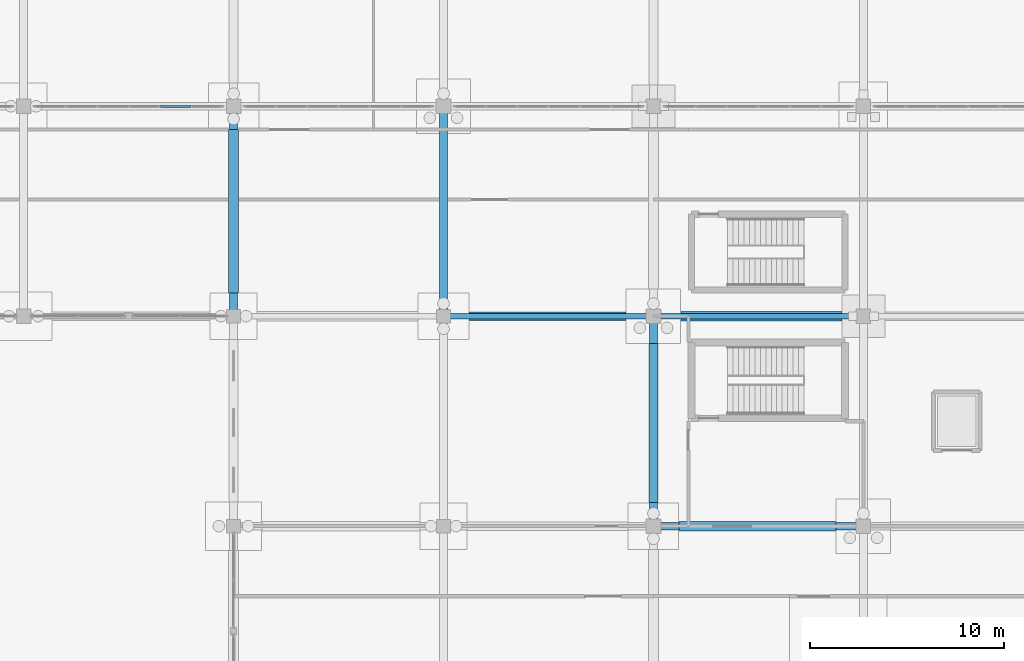
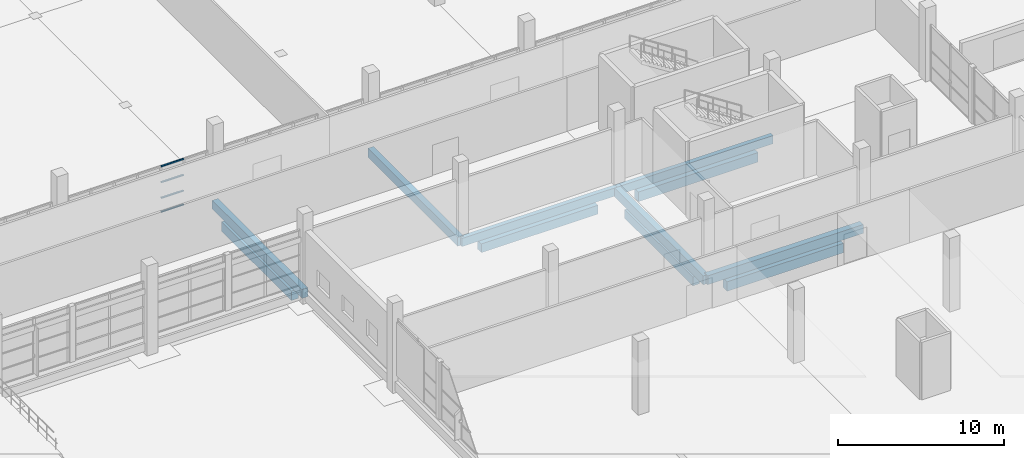
# One storey, part 62 of 138: 11 beams, 4 members, 1 element without a shape of its own.
"""IFC4 building model written with IfcOpenShell, lengths in metres."""

import ifcopenshell
import ifcopenshell.guid

model = None  # the IFC model being written
_history = None  # IfcOwnerHistory: only IFC2X3 demands one
_inside = {}  # id of a spatial element -> (the spatial element, [elements in it])
_under = {}  # id of a project, library or spatial element -> (it, [spatial elements below it])
_declared = {}  # id of a project -> (the project, [libraries it declares])
_typed = {}  # id of a type object -> (the type object, [elements of that type])
_made_of = {}  # id of a material, layer set ... -> (it, [elements and type objects made of it])


def new_model(schema):
    """Start an empty IFC model of exactly this schema.

    Asked for "IFC4X3", IfcOpenShell would pick the latest addendum, in which some entities
    have other attributes; the version numbers below select the first issue.
    IFC2X3 requires an IfcOwnerHistory on every rooted entity: one is made here for all.
    """
    global model, _history
    if schema == "IFC4X3":
        model = ifcopenshell.file(schema_version=(4, 3, 0, 0))
    else:
        model = ifcopenshell.file(schema=schema)
    _inside.clear()
    _under.clear()
    _declared.clear()
    _typed.clear()
    _made_of.clear()
    _history = None
    if model.schema == "IFC2X3":
        org = make("IfcOrganization", Name="unknown")
        user = make(
            "IfcPersonAndOrganization",
            ThePerson=make("IfcPerson", FamilyName="unknown"),
            TheOrganization=org,
        )
        app = make(
            "IfcApplication",
            ApplicationDeveloper=org,
            Version="unknown",
            ApplicationFullName="unknown",
            ApplicationIdentifier="unknown",
        )
        _history = make(
            "IfcOwnerHistory",
            OwningUser=user,
            OwningApplication=app,
            ChangeAction="ADDED",
            CreationDate=0,
        )
    return model


def make(cls, **values):
    """One entity of the class cls with the attributes given. An attribute that is None is left unset."""
    return model.create_entity(
        cls, **{name: value for name, value in values.items() if value is not None}
    )


def rooted(cls, **values):
    """An entity with a GlobalId (a new one), such as an element, a storey or a relation."""
    return make(cls, GlobalId=ifcopenshell.guid.new(), OwnerHistory=_history, **values)


def si_unit(unit_type, name, prefix=None):
    """IfcSIUnit, for example si_unit("LENGTHUNIT", "METRE", prefix="MILLI")."""
    return make("IfcSIUnit", UnitType=unit_type, Prefix=prefix, Name=name)


def assignment(units):
    """IfcUnitAssignment: the units of a project."""
    return None if units is None else make("IfcUnitAssignment", Units=units)


def point(xyz):
    """IfcCartesianPoint."""
    return None if xyz is None else make("IfcCartesianPoint", Coordinates=xyz)


def direction(xyz):
    """IfcDirection."""
    return None if xyz is None else make("IfcDirection", DirectionRatios=xyz)


def frame(location, z_axis=None, x_axis=None):
    """IfcAxis2Placement3D, a coordinate frame: its origin and axes. An axis left out is left unset."""
    return make(
        "IfcAxis2Placement3D",
        Location=point(location),
        Axis=direction(z_axis),
        RefDirection=direction(x_axis),
    )


def frame_2d(location, x_axis=None):
    """IfcAxis2Placement2D, a coordinate frame in the plane: its origin and x axis."""
    return make(
        "IfcAxis2Placement2D", Location=point(location), RefDirection=direction(x_axis)
    )


def origin():
    """The frame at (0, 0, 0) with its axes left unset."""
    return frame((0.0, 0.0, 0.0))


def origin_2d():
    """The frame at (0, 0) in the plane with its x axis left unset."""
    return frame_2d((0.0, 0.0))


def place(relative_to, where):
    """IfcLocalPlacement: puts the frame where relative to a parent placement (None: the world)."""
    return make(
        "IfcLocalPlacement", PlacementRelTo=relative_to, RelativePlacement=where
    )


def context(
    kind, dimensions, precision=None, world=None, true_north=None, identifier=None
):
    """IfcGeometricRepresentationContext, for example the 3D "Model" context."""
    return make(
        "IfcGeometricRepresentationContext",
        ContextIdentifier=identifier,
        ContextType=kind,
        CoordinateSpaceDimension=dimensions,
        Precision=precision,
        WorldCoordinateSystem=world,
        TrueNorth=true_north,
    )


def subcontext(parent, identifier, kind, view, scale=None):
    """IfcGeometricRepresentationSubContext, for example "Body" below "Model"."""
    return make(
        "IfcGeometricRepresentationSubContext",
        ContextIdentifier=identifier,
        ContextType=kind,
        ParentContext=parent,
        TargetScale=scale,
        TargetView=view,
    )


def project(units=None, contexts=None):
    """IfcProject with its units and contexts."""
    return rooted(
        "IfcProject",
        Name="project",
        RepresentationContexts=contexts,
        UnitsInContext=assignment(units),
    )


def spatial(cls, under=None, at=None, **own):
    """A site, building, storey or space (cls), placed at a placement, below another one or the project."""
    s = rooted(cls, ObjectPlacement=at, **own)
    if under is not None:
        _under.setdefault(under.id(), (under, []))[1].append(s)
    return s


def profile(cls, at=None, kind="AREA", **sizes):
    """A parametric profile (cls). Its sizes go by their IFC names, for example OverallWidth=200.0."""
    return make(cls, ProfileType=kind, Position=at, **sizes)


def rectangle(**sizes):
    """IfcRectangleProfileDef."""
    return profile("IfcRectangleProfileDef", **sizes)


def extrude(swept, where, along, depth):
    """IfcExtrudedAreaSolid: the profile swept, set in the frame where, extruded along a direction by depth."""
    return make(
        "IfcExtrudedAreaSolid",
        SweptArea=swept,
        Position=where,
        ExtrudedDirection=direction(along),
        Depth=depth,
    )


def shape(context_of_items, identifier, shape_type, items):
    """IfcShapeRepresentation: the items that make up one representation, for example the "Body"."""
    return make(
        "IfcShapeRepresentation",
        ContextOfItems=context_of_items,
        RepresentationIdentifier=identifier,
        RepresentationType=shape_type,
        Items=items,
    )


def material(Name=None, Category=None):
    """IfcMaterial."""
    return make("IfcMaterial", Name=Name, Category=Category)


def material_profile(
    of_material, cross_section, Name=None, Category=None, Priority=None
):
    """IfcMaterialProfile: a cross section and its material."""
    return make(
        "IfcMaterialProfile",
        Name=Name,
        Material=of_material,
        Profile=cross_section,
        Priority=Priority,
        Category=Category,
    )


def profile_set(profiles, Name=None, composite=None):
    """IfcMaterialProfileSet."""
    return make(
        "IfcMaterialProfileSet",
        Name=Name,
        MaterialProfiles=profiles,
        CompositeProfile=composite,
    )


def made_of(thing, what):
    """Note that an element or type object is made of a material, layer set ...; save() writes the relation."""
    if what is not None:
        _made_of.setdefault(what.id(), (what, []))[1].append(thing)
    return thing


def type_object(cls, material=None, **own):
    """A type object (cls), such as IfcWallType, which elements share."""
    return made_of(rooted(cls, **own), material)


def element(
    cls,
    number,
    at=None,
    inside=None,
    cuts=None,
    type_object=None,
    material=None,
    context=None,
    identifier="Body",
    shape_type=None,
    held_by="IfcProductDefinitionShape",
    body=None,
    shapes=None,
    **own,
):
    """One element of the class cls, such as IfcWall. Its Tag is "e" and its number.

    at: its placement. inside: the storey or other place that contains it. cuts: it is an
    opening in that element (IfcRelVoidsElement). A single representation is given by context,
    identifier, shape_type and body (its items); several are given by shapes. held_by: the class
    of the entity that holds the representations. save() writes the other relations.
    """
    e = rooted(cls, Tag="e%d" % number, ObjectPlacement=at, **own)
    if body is not None:
        shapes = [shape(context, identifier, shape_type, body)]
    if shapes is not None:
        e.Representation = make(held_by, Representations=shapes)
    if inside is not None:
        _inside.setdefault(inside.id(), (inside, []))[1].append(e)
    if cuts is not None:
        rooted(
            "IfcRelVoidsElement", RelatingBuildingElement=cuts, RelatedOpeningElement=e
        )
    if type_object is not None:
        _typed.setdefault(type_object.id(), (type_object, []))[1].append(e)
    return made_of(e, material)


def aggregate(whole, parts):
    """IfcRelAggregates: a whole, such as a stair, and the parts it consists of."""
    return rooted("IfcRelAggregates", RelatingObject=whole, RelatedObjects=parts)


def save(model, path):
    """Write the relations noted so far, then the file.

    IfcRelAggregates (storeys below a building ...), IfcRelContainedInSpatialStructure (elements
    in a storey), IfcRelDefinesByType, IfcRelAssociatesMaterial and IfcRelDeclares: one each for
    every whole, place, type object, material and project.
    """
    for whole, parts in _under.values():
        aggregate(whole, parts)
    for where, things in _inside.values():
        rooted(
            "IfcRelContainedInSpatialStructure",
            RelatedElements=things,
            RelatingStructure=where,
        )
    for kind, things in _typed.values():
        rooted("IfcRelDefinesByType", RelatedObjects=things, RelatingType=kind)
    for what, things in _made_of.values():
        rooted("IfcRelAssociatesMaterial", RelatedObjects=things, RelatingMaterial=what)
    for by, libraries in _declared.values():
        rooted("IfcRelDeclares", RelatingContext=by, RelatedDefinitions=libraries)
    model.write(path)


model = new_model("IFC4")

# Units and contexts
model_context = context("Model", 3, precision=1e-05, world=origin(), true_north=direction((0.0, 1.0)))
body_context = subcontext(model_context, "Body", "Model", "MODEL_VIEW")
ifc_project = project(units=[si_unit("LENGTHUNIT", "METRE"), si_unit("AREAUNIT", "SQUARE_METRE"), si_unit("VOLUMEUNIT", "CUBIC_METRE"), si_unit("PLANEANGLEUNIT", "RADIAN"), si_unit("MASSUNIT", "GRAM", prefix="KILO")], contexts=[model_context])

# Site, building, storey
site_placement = place(None, origin())
site = spatial("IfcSite", under=ifc_project, at=site_placement, CompositionType="ELEMENT")
building_placement = place(site_placement, origin())
building = spatial("IfcBuilding", under=site, at=building_placement, Name="Zwinboog Wholesale Market", CompositionType="ELEMENT")
storey_placement = place(building_placement, origin())
storey = spatial("IfcBuildingStorey", under=building, at=storey_placement, Name="L00", CompositionType="ELEMENT", Elevation=0.0)

# Beams
ifc_material_1 = material(Name="Precast concrete C45/55", Category="concrete")
ifc_material_profile_1 = material_profile(ifc_material_1, rectangle(XDim=0.39990234375, YDim=0.64990234375, at=origin_2d()), Name="PC 400x650")
ifc_profile_set_1 = profile_set([ifc_material_profile_1], Name="Precast concrete C45/55")
beam_type_1 = type_object("IfcBeamType", Name="BT-05", PredefinedType="BEAM", material=ifc_profile_set_1)
for number, where, z_axis, x_axis, name in (
    (1, (151.199951171875, 32.39990234375, -0.6669921875), (1.0, 0.0, 0.0), (0.0, 1.0, 0.0), "BG-05 (BMG-L00-1512-0324-0049)"),
    (2, (129.60009765625, 43.199951171875, -0.705078125), (0.0, 1.0, 0.0), (-1.0, 0.0, 0.0), "BG-05 (BMG-L00-1296-0432-0333)"),
    (3, (140.39990234375, 43.199951171875, -0.6669921875), (0.0, 1.0, 0.0), (-1.0, 0.0, 0.0), "BG-05 (BMG-L00-1404-0432-0345)"),
    (4, (151.199951171875, 32.39990234375, -0.719970703125), (0.0, 1.0, 0.0), (-1.0, 0.0, 0.0), "BG-05 (BMG-L00-1512-0324-0356)"),
):
    element("IfcBeam", number, at=place(storey_placement, frame(where, z_axis=z_axis, x_axis=x_axis)), inside=storey, type_object=beam_type_1, Name=name, PredefinedType="BEAM", context=body_context, shape_type="SweptSolid", body=[
        extrude(rectangle(XDim=0.39990234375, YDim=0.64990234375, at=origin_2d()), origin(), (0.0, 0.0, 1.0), 10.800048828125),
    ])
ifc_material_profile_2 = material_profile(ifc_material_1, rectangle(XDim=0.300048828125, YDim=0.60009765625, at=origin_2d()), Name="PC 300x600")
ifc_profile_set_2 = profile_set([ifc_material_profile_2], Name="Precast concrete C45/55")
beam_type_2 = type_object("IfcBeamType", Name="BT-09", PredefinedType="SPANDREL", material=ifc_profile_set_2)
for number, where, z_axis, x_axis, name in (
    (5, (140.39990234375, 43.199951171875, -0.695068359375), (1.0, 0.0, 0.0), (0.0, 1.0, 0.0), "SP-02 (BMG-L00-1404-0432-0066)"),
    (6, (151.199951171875, 43.199951171875, -0.695068359375), (1.0, 0.0, 0.0), (0.0, 1.0, 0.0), "SP-02 (BMG-L00-1512-0432-0067)"),
):
    element("IfcBeam", number, at=place(storey_placement, frame(where, z_axis=z_axis, x_axis=x_axis)), inside=storey, type_object=beam_type_2, Name=name, PredefinedType="SPANDREL", context=body_context, shape_type="SweptSolid", body=[
        extrude(rectangle(XDim=0.300048828125, YDim=0.60009765625, at=origin_2d()), origin(), (0.0, 0.0, 1.0), 10.800048828125),
    ])
ifc_material_2 = material(Name="Concrete C35/45", Category="concrete")
ifc_material_profile_3 = material_profile(ifc_material_2, rectangle(XDim=0.5, YDim=0.699951171875, at=origin_2d()), Name="RC 500x700")
ifc_profile_set_3 = profile_set([ifc_material_profile_3], Name="Concrete C35/45")
beam_type_3 = type_object("IfcBeamType", Name="BT-12", PredefinedType="USERDEFINED", material=ifc_profile_set_3)
beam_1_placement = place(storey_placement, frame((152.5048828125, 32.39990234375, -1.550048828125), z_axis=(1.0, 0.0, 0.0), x_axis=(0.0, 1.0, 0.0)))
element("IfcBeam", 7, at=beam_1_placement, inside=storey, type_object=beam_type_3, Name="GB-01 (BM-GB-0027)", ObjectType="GROUND_BEAM", PredefinedType="USERDEFINED", context=body_context, shape_type="SweptSolid", body=[
    extrude(rectangle(XDim=0.5, YDim=0.699951171875, at=origin_2d()), origin(), (0.0, 0.0, 1.0), 8.090087890625),
])
beam_2_placement = place(storey_placement, frame((152.60498046875, 43.199951171875, -1.550048828125), z_axis=(1.0, 0.0, 0.0), x_axis=(0.0, 1.0, 0.0)))
element("IfcBeam", 8, at=beam_2_placement, inside=storey, type_object=beam_type_3, Name="GB-01 (BM-GB-0047)", ObjectType="GROUND_BEAM", PredefinedType="USERDEFINED", context=body_context, shape_type="SweptSolid", body=[
    extrude(rectangle(XDim=0.5, YDim=0.699951171875, at=origin_2d()), origin(), (0.0, 0.0, 1.0), 8.2900390625),
])
beam_3_placement = place(storey_placement, frame((129.60009765625, 44.405029296875, -1.550048828125), z_axis=(0.0, 1.0, 0.0), x_axis=(-1.0, 0.0, 0.0)))
element("IfcBeam", 9, at=beam_3_placement, inside=storey, type_object=beam_type_3, Name="GB-01 (BM-GB-0176)", ObjectType="GROUND_BEAM", PredefinedType="USERDEFINED", context=body_context, shape_type="SweptSolid", body=[
    extrude(rectangle(XDim=0.5, YDim=0.699951171875, at=origin_2d()), origin(), (0.0, 0.0, 1.0), 8.389892578125),
])
ifc_material_profile_4 = material_profile(ifc_material_2, rectangle(XDim=0.449951171875, YDim=0.64990234375, at=origin_2d()), Name="RC 450x650")
ifc_profile_set_4 = profile_set([ifc_material_profile_4], Name="Concrete C35/45")
beam_type_4 = type_object("IfcBeamType", Name="BT-13", PredefinedType="USERDEFINED", material=ifc_profile_set_4)
beam_4_placement = place(storey_placement, frame((141.705078125, 43.199951171875, -1.52490234375), z_axis=(1.0, 0.0, 0.0), x_axis=(0.0, 1.0, 0.0)))
element("IfcBeam", 10, at=beam_4_placement, inside=storey, type_object=beam_type_4, Name="GB-02 (BM-GB-0046)", ObjectType="GROUND_BEAM", PredefinedType="USERDEFINED", context=body_context, shape_type="SweptSolid", body=[
    extrude(rectangle(XDim=0.449951171875, YDim=0.64990234375, at=origin_2d()), origin(), (0.0, 0.0, 1.0), 8.08984375),
])
beam_5_placement = place(storey_placement, frame((151.199951171875, 33.60498046875, -1.52490234375), z_axis=(0.0, 1.0, 0.0), x_axis=(-1.0, 0.0, 0.0)))
element("IfcBeam", 11, at=beam_5_placement, inside=storey, type_object=beam_type_4, Name="GB-02 (BM-GB-0187)", ObjectType="GROUND_BEAM", PredefinedType="USERDEFINED", context=body_context, shape_type="SweptSolid", body=[
    extrude(rectangle(XDim=0.449951171875, YDim=0.64990234375, at=origin_2d()), origin(), (0.0, 0.0, 1.0), 8.18994140625),
])

# Curtain wall, members
ifc_material_3 = material(Name="Aluminium thermally broken curtain wall", Category="aluminium")
curtain_wall_type = type_object("IfcCurtainWallType", Name="CWT-INT-STALL", PredefinedType="USERDEFINED", material=ifc_material_3)
curtain_wall_placement = place(storey_placement, origin())
curtain_wall = element("IfcCurtainWall", 12, at=curtain_wall_placement, inside=storey, type_object=curtain_wall_type, Name="CW-07 (CW-STL-186)", ObjectType="STOREFRONT_GLAZING", PredefinedType="USERDEFINED")
ifc_material_4 = material(Name="Aluminium EN AW-6060", Category="aluminium")
ifc_material_profile_5 = material_profile(ifc_material_4, rectangle(XDim=0.110107421875, YDim=0.06005859375, at=origin_2d()), Name="AL 60x110")
ifc_profile_set_5 = profile_set([ifc_material_profile_5], Name="Aluminium EN AW-6060")
member_type = type_object("IfcMemberType", Name="CWT-INT-60x100", PredefinedType="USERDEFINED", material=ifc_profile_set_5)
member_1_placement = place(storey_placement, frame((125.8466796875, 54.0, 0.030029296875), z_axis=(1.0, 0.0, 0.0), x_axis=(0.0, 1.0, 0.0)))
member_1 = element("IfcMember", 13, at=member_1_placement, type_object=member_type, Name="CW-07 transom 5.1", ObjectType="TRANSOM", PredefinedType="USERDEFINED", context=body_context, shape_type="SweptSolid", body=[
    extrude(rectangle(XDim=0.110107421875, YDim=0.06005859375, at=origin_2d()), origin(), (0.0, 0.0, 1.0), 1.556640625),
])
member_2_placement = place(storey_placement, frame((125.8466796875, 54.0, 1.050048828125), z_axis=(1.0, 0.0, 0.0), x_axis=(0.0, 1.0, 0.0)))
member_2 = element("IfcMember", 14, at=member_2_placement, type_object=member_type, Name="CW-07 transom 5.2", ObjectType="TRANSOM", PredefinedType="USERDEFINED", context=body_context, shape_type="SweptSolid", body=[
    extrude(rectangle(XDim=0.110107421875, YDim=0.06005859375, at=origin_2d()), origin(), (0.0, 0.0, 1.0), 1.556640625),
])
member_3_placement = place(storey_placement, frame((125.8466796875, 54.0, 2.199951171875), z_axis=(1.0, 0.0, 0.0), x_axis=(0.0, 1.0, 0.0)))
member_3 = element("IfcMember", 15, at=member_3_placement, type_object=member_type, Name="CW-07 transom 5.3", ObjectType="TRANSOM", PredefinedType="USERDEFINED", context=body_context, shape_type="SweptSolid", body=[
    extrude(rectangle(XDim=0.110107421875, YDim=0.06005859375, at=origin_2d()), origin(), (0.0, 0.0, 1.0), 1.556640625),
])
member_4_placement = place(storey_placement, frame((125.8466796875, 54.0, 3.3701171875), z_axis=(1.0, 0.0, 0.0), x_axis=(0.0, 1.0, 0.0)))
member_4 = element("IfcMember", 16, at=member_4_placement, type_object=member_type, Name="CW-07 transom 5.4", ObjectType="TRANSOM", PredefinedType="USERDEFINED", context=body_context, shape_type="SweptSolid", body=[
    extrude(rectangle(XDim=0.110107421875, YDim=0.06005859375, at=origin_2d()), origin(), (0.0, 0.0, 1.0), 1.556640625),
])
aggregate(curtain_wall, [member_1, member_2, member_3, member_4])

save(model, "model.ifc")
